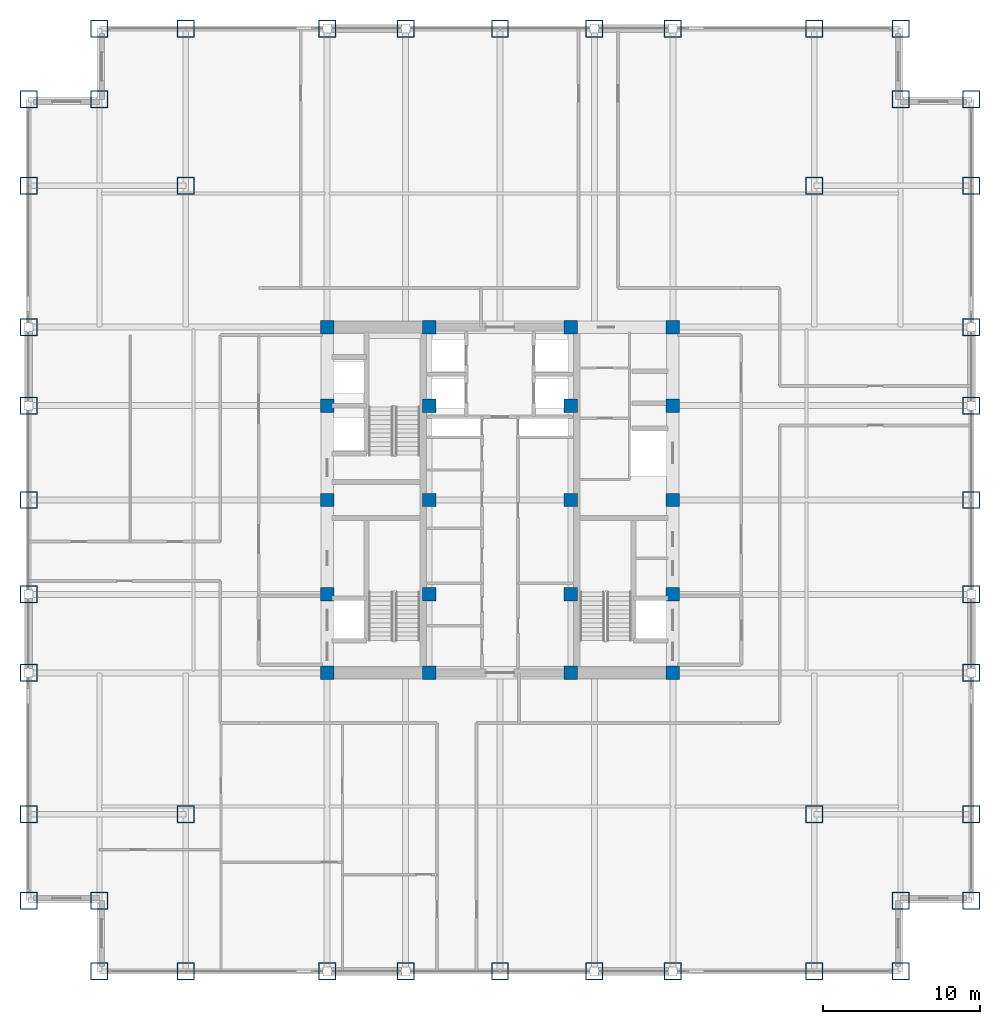
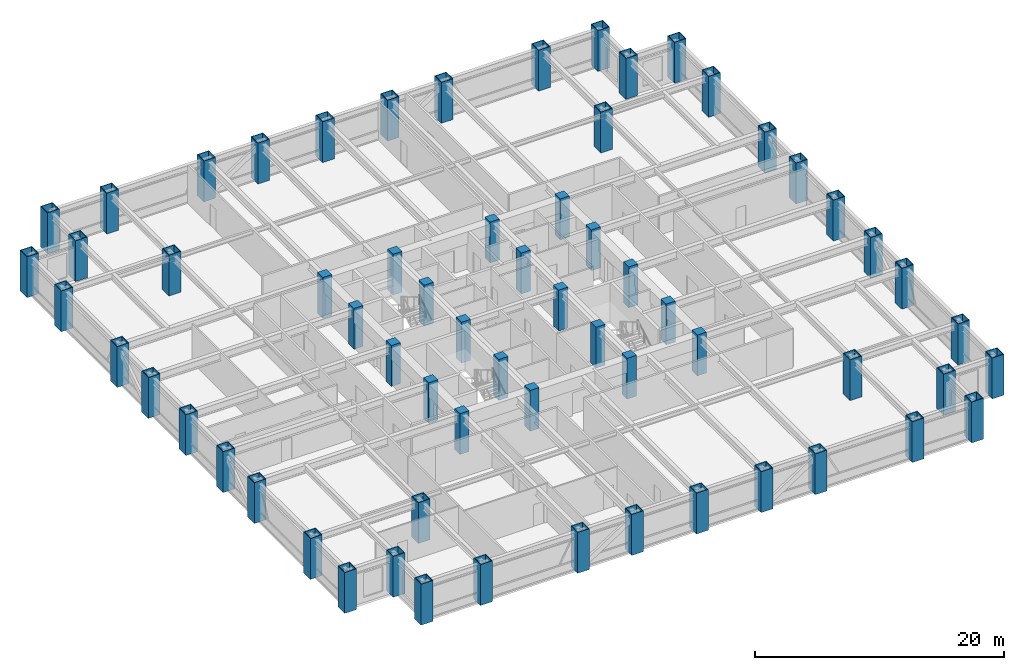
# One storey, part 1 of 24: 64 columns.
"""IFC4 building model written with IfcOpenShell, lengths in metres."""

from ifc_helpers import new_model, si_unit, direction, frame, origin, origin_2d, place, context, subcontext, project, spatial, rectangle, hollow_rectangle, extrude, source, transform, mapped, material, material_profile, profile_set, type_object, element, save


model = new_model("IFC4")

# Units and contexts
model_context = context("Model", 3, precision=1e-05, world=origin(), true_north=direction((0.0, 1.0)))
body_context = subcontext(model_context, "Body", "Model", "MODEL_VIEW")
ifc_project = project(units=[si_unit("LENGTHUNIT", "METRE"), si_unit("AREAUNIT", "SQUARE_METRE"), si_unit("VOLUMEUNIT", "CUBIC_METRE"), si_unit("PLANEANGLEUNIT", "RADIAN"), si_unit("MASSUNIT", "GRAM", prefix="KILO")], contexts=[model_context])

# Site, building, storey
site_placement = place(None, origin())
site = spatial("IfcSite", under=ifc_project, at=site_placement, CompositionType="ELEMENT")
building_placement = place(site_placement, origin())
building = spatial("IfcBuilding", under=site, at=building_placement, Name="Khorayat Bourse Tower", CompositionType="ELEMENT")
storey_placement = place(building_placement, frame((0.0, 0.0, 179.10009765625)))
storey = spatial("IfcBuildingStorey", under=building, at=storey_placement, Name="L41", CompositionType="ELEMENT", Elevation=179.10009765625)

# Columns
ifc_material_1 = material(Name="Steel EN 10025-4 S460M", Category="steel")
ifc_material_profile_1 = material_profile(ifc_material_1, hollow_rectangle(XDim=1.10009765625, YDim=1.10009765625, WallThickness=0.06005859375, at=origin_2d()), Name="BOX 1100x1100x60")
ifc_profile_set_1 = profile_set([ifc_material_profile_1], Name="Steel EN 10025-4 S460M")
column_type_1 = type_object("IfcColumnType", Name="COL-TUBE-1100", PredefinedType="COLUMN", material=ifc_profile_set_1)
shared_shape_1 = source(origin(), body_context, "Body", "SweptSolid", [
    extrude(hollow_rectangle(XDim=1.10009765625, YDim=1.10009765625, WallThickness=0.06005859375, at=origin_2d()), origin(), (0.0, 0.0, 1.0), 4.0),
])
for number, where, z_axis, x_axis, name in (
    (1, (-30.0, -25.5, 0.0), (0.0, 0.0, 1.0), (1.0, 0.0, 0.0), "L41 Column 001"),
    (2, (-30.0, -20.0, 0.0), (0.0, 0.0, 1.0), (1.0, 0.0, 0.0), "L41 Column 002"),
    (3, (-30.0, -11.0, 0.0), (0.0, 0.0, 1.0), (1.0, 0.0, 0.0), "L41 Column 003"),
    (4, (-30.0, -6.0, 0.0), (0.0, 0.0, 1.0), (1.0, 0.0, 0.0), "L41 Column 004"),
    (5, (-30.0, 0.0, 0.0), (0.0, 0.0, 1.0), (1.0, 0.0, 0.0), "L41 Column 005"),
    (6, (-30.0, 6.0, 0.0), (0.0, 0.0, 1.0), (1.0, 0.0, 0.0), "L41 Column 006"),
    (7, (-30.0, 11.0, 0.0), (0.0, 0.0, 1.0), (1.0, 0.0, 0.0), "L41 Column 007"),
    (8, (-30.0, 20.0, 0.0), (0.0, 0.0, 1.0), (1.0, 0.0, 0.0), "L41 Column 008"),
    (9, (-30.0, 25.5, 0.0), (0.0, 0.0, 1.0), (1.0, 0.0, 0.0), "L41 Column 009"),
    (10, (-25.5, -30.0, 0.0), (0.0, 0.0, 1.0), (1.0, 0.0, 0.0), "L41 Column 010"),
    (11, (-25.5, -25.5, 0.0), (0.0, 0.0, 1.0), (1.0, 0.0, 0.0), "L41 Column 011"),
    (12, (-25.5, 25.5, 0.0), (0.0, 0.0, 1.0), (1.0, 0.0, 0.0), "L41 Column 012"),
    (13, (-25.5, 30.0, 0.0), (0.0, 0.0, 1.0), (1.0, 0.0, 0.0), "L41 Column 013"),
    (14, (-20.0, -30.0, 0.0), (0.0, 0.0, 1.0), (1.0, 0.0, 0.0), "L41 Column 014"),
    (15, (-20.0, -20.0, 0.0), (0.0, 0.0, 1.0), (1.0, 0.0, 0.0), "L41 Column 015"),
    (16, (-20.0, 20.0, 0.0), (0.0, 0.0, 1.0), (1.0, 0.0, 0.0), "L41 Column 016"),
    (17, (-20.0, 30.0, 0.0), (0.0, 0.0, 1.0), (1.0, 0.0, 0.0), "L41 Column 017"),
    (18, (-11.0, -30.0, 0.0), (0.0, 0.0, 1.0), (1.0, 0.0, 0.0), "L41 Column 018"),
    (19, (-11.0, 30.0, 0.0), (0.0, 0.0, 1.0), (1.0, 0.0, 0.0), "L41 Column 024"),
    (20, (-6.0, -30.0, 0.0), (0.0, 0.0, 1.0), (1.0, 0.0, 0.0), "L41 Column 025"),
    (21, (-6.0, 30.0, 0.0), (0.0, 0.0, 1.0), (1.0, 0.0, 0.0), "L41 Column 026"),
    (22, (0.0, -30.0, 0.0), (0.0, 0.0, 1.0), (1.0, 0.0, 0.0), "L41 Column 032"),
    (23, (0.0, 30.0, 0.0), (0.0, 0.0, 1.0), (1.0, 0.0, 0.0), "L41 Column 033"),
    (24, (6.0, -30.0, 0.0), (0.0, 0.0, 1.0), (1.0, 0.0, 0.0), "L41 Column 039"),
    (25, (6.0, 30.0, 0.0), (0.0, 0.0, 1.0), (1.0, 0.0, 0.0), "L41 Column 040"),
    (26, (11.0, -30.0, 0.0), (0.0, 0.0, 1.0), (1.0, 0.0, 0.0), "L41 Column 041"),
    (27, (11.0, 30.0, 0.0), (0.0, 0.0, 1.0), (1.0, 0.0, 0.0), "L41 Column 047"),
    (28, (20.0, -30.0, 0.0), (0.0, 0.0, 1.0), (1.0, 0.0, 0.0), "L41 Column 048"),
    (29, (20.0, -20.0, 0.0), (0.0, 0.0, 1.0), (1.0, 0.0, 0.0), "L41 Column 049"),
    (30, (20.0, 20.0, 0.0), (0.0, 0.0, 1.0), (1.0, 0.0, 0.0), "L41 Column 050"),
    (31, (20.0, 30.0, 0.0), (0.0, 0.0, 1.0), (1.0, 0.0, 0.0), "L41 Column 051"),
    (32, (25.5, -30.0, 0.0), (0.0, 0.0, 1.0), (1.0, 0.0, 0.0), "L41 Column 052"),
    (33, (25.5, -25.5, 0.0), (0.0, 0.0, 1.0), (1.0, 0.0, 0.0), "L41 Column 053"),
    (34, (25.5, 25.5, 0.0), (0.0, 0.0, 1.0), (1.0, 0.0, 0.0), "L41 Column 054"),
    (35, (25.5, 30.0, 0.0), (0.0, 0.0, 1.0), (1.0, 0.0, 0.0), "L41 Column 055"),
    (36, (30.0, -25.5, 0.0), (0.0, 0.0, 1.0), (1.0, 0.0, 0.0), "L41 Column 056"),
    (37, (30.0, -20.0, 0.0), (0.0, 0.0, 1.0), (1.0, 0.0, 0.0), "L41 Column 057"),
    (38, (30.0, -11.0, 0.0), (0.0, 0.0, 1.0), (1.0, 0.0, 0.0), "L41 Column 058"),
    (39, (30.0, -6.0, 0.0), (0.0, 0.0, 1.0), (1.0, 0.0, 0.0), "L41 Column 059"),
    (40, (30.0, 0.0, 0.0), (0.0, 0.0, 1.0), (1.0, 0.0, 0.0), "L41 Column 060"),
    (41, (30.0, 6.0, 0.0), (0.0, 0.0, 1.0), (1.0, 0.0, 0.0), "L41 Column 061"),
    (42, (30.0, 11.0, 0.0), (0.0, 0.0, 1.0), (1.0, 0.0, 0.0), "L41 Column 062"),
    (43, (30.0, 20.0, 0.0), (0.0, 0.0, 1.0), (1.0, 0.0, 0.0), "L41 Column 063"),
    (44, (30.0, 25.5, 0.0), (0.0, 0.0, 1.0), (1.0, 0.0, 0.0), "L41 Column 064"),
):
    element("IfcColumn", number, at=place(storey_placement, frame(where, z_axis=z_axis, x_axis=x_axis)), inside=storey, type_object=column_type_1, Name=name, PredefinedType="COLUMN", context=body_context, shape_type="MappedRepresentation", body=[
        mapped(shared_shape_1, transform((0.0, 0.0, 0.0), scale=1.0)),
    ])
ifc_material_2 = material(Name="Concrete C60/75", Category="concrete")
ifc_material_profile_2 = material_profile(ifc_material_2, rectangle(XDim=0.85009765625, YDim=0.85009765625, at=origin_2d()), Name="RC 850x850")
ifc_profile_set_2 = profile_set([ifc_material_profile_2], Name="Concrete C60/75")
column_type_2 = type_object("IfcColumnType", Name="COL-CORE-850", PredefinedType="COLUMN", material=ifc_profile_set_2)
shared_shape_2 = source(origin(), body_context, "Body", "SweptSolid", [
    extrude(rectangle(XDim=0.85009765625, YDim=0.85009765625, at=origin_2d()), origin(), (0.0, 0.0, 1.0), 4.0),
])
for number, where, z_axis, x_axis, name in (
    (45, (-11.0, -11.0, 0.0), (0.0, 0.0, 1.0), (1.0, 0.0, 0.0), "L41 Column 019"),
    (46, (-11.0, -6.0, 0.0), (0.0, 0.0, 1.0), (1.0, 0.0, 0.0), "L41 Column 020"),
    (47, (-11.0, 0.0, 0.0), (0.0, 0.0, 1.0), (1.0, 0.0, 0.0), "L41 Column 021"),
    (48, (-11.0, 6.0, 0.0), (0.0, 0.0, 1.0), (1.0, 0.0, 0.0), "L41 Column 022"),
    (49, (-11.0, 11.0, 0.0), (0.0, 0.0, 1.0), (1.0, 0.0, 0.0), "L41 Column 023"),
    (50, (-4.5, -11.0, 0.0), (0.0, 0.0, 1.0), (1.0, 0.0, 0.0), "L41 Column 027"),
    (51, (-4.5, -6.0, 0.0), (0.0, 0.0, 1.0), (1.0, 0.0, 0.0), "L41 Column 028"),
    (52, (-4.5, 0.0, 0.0), (0.0, 0.0, 1.0), (1.0, 0.0, 0.0), "L41 Column 029"),
    (53, (-4.5, 6.0, 0.0), (0.0, 0.0, 1.0), (1.0, 0.0, 0.0), "L41 Column 030"),
    (54, (-4.5, 11.0, 0.0), (0.0, 0.0, 1.0), (1.0, 0.0, 0.0), "L41 Column 031"),
    (55, (4.5, -11.0, 0.0), (0.0, 0.0, 1.0), (1.0, 0.0, 0.0), "L41 Column 034"),
    (56, (4.5, -6.0, 0.0), (0.0, 0.0, 1.0), (1.0, 0.0, 0.0), "L41 Column 035"),
    (57, (4.5, 0.0, 0.0), (0.0, 0.0, 1.0), (1.0, 0.0, 0.0), "L41 Column 036"),
    (58, (4.5, 6.0, 0.0), (0.0, 0.0, 1.0), (1.0, 0.0, 0.0), "L41 Column 037"),
    (59, (4.5, 11.0, 0.0), (0.0, 0.0, 1.0), (1.0, 0.0, 0.0), "L41 Column 038"),
    (60, (11.0, -11.0, 0.0), (0.0, 0.0, 1.0), (1.0, 0.0, 0.0), "L41 Column 042"),
    (61, (11.0, -6.0, 0.0), (0.0, 0.0, 1.0), (1.0, 0.0, 0.0), "L41 Column 043"),
    (62, (11.0, 0.0, 0.0), (0.0, 0.0, 1.0), (1.0, 0.0, 0.0), "L41 Column 044"),
    (63, (11.0, 6.0, 0.0), (0.0, 0.0, 1.0), (1.0, 0.0, 0.0), "L41 Column 045"),
    (64, (11.0, 11.0, 0.0), (0.0, 0.0, 1.0), (1.0, 0.0, 0.0), "L41 Column 046"),
):
    element("IfcColumn", number, at=place(storey_placement, frame(where, z_axis=z_axis, x_axis=x_axis)), inside=storey, type_object=column_type_2, Name=name, PredefinedType="COLUMN", context=body_context, shape_type="MappedRepresentation", body=[
        mapped(shared_shape_2, transform((0.0, 0.0, 0.0), scale=1.0)),
    ])

save(model, "model.ifc")
